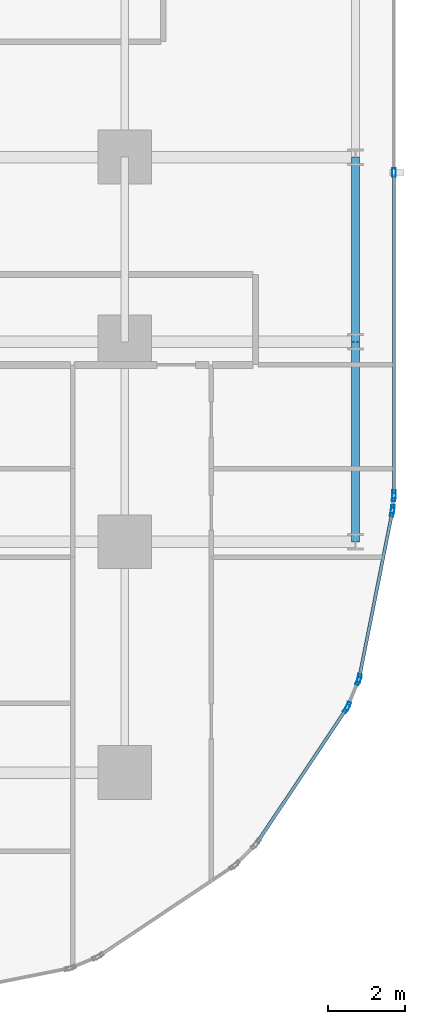
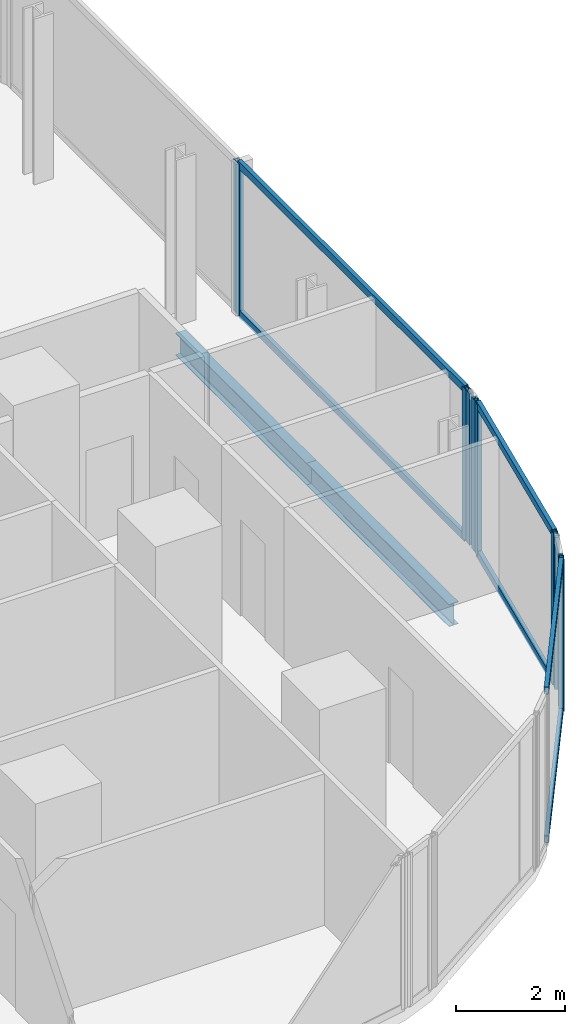
# One storey, part 18 of 34: 15 members, 2 beams, 5 elements without a shape of their own.
"""IFC4 building model written with IfcOpenShell, lengths in metres."""

from ifc_helpers import new_model, si_unit, direction, frame, origin, origin_2d, place, context, subcontext, project, spatial, hollow_rectangle, i_section, extrude, material, layer, layer_set, material_profile, profile_set, type_object, element, aggregate, save


model = new_model("IFC4")

# Units and contexts
model_context = context("Model", 3, precision=1e-05, world=origin(), true_north=direction((0.0, 1.0)))
body_context = subcontext(model_context, "Body", "Model", "MODEL_VIEW")
ifc_project = project(units=[si_unit("LENGTHUNIT", "METRE"), si_unit("AREAUNIT", "SQUARE_METRE"), si_unit("VOLUMEUNIT", "CUBIC_METRE"), si_unit("PLANEANGLEUNIT", "RADIAN"), si_unit("MASSUNIT", "GRAM", prefix="KILO")], contexts=[model_context])

# Site, building, storey
site_placement = place(None, origin())
site = spatial("IfcSite", under=ifc_project, at=site_placement, CompositionType="ELEMENT")
building_placement = place(site_placement, origin())
building = spatial("IfcBuilding", under=site, at=building_placement, Name="Keshet Zoharim Tower", CompositionType="ELEMENT")
storey_placement = place(building_placement, frame((0.0, 0.0, 46.199951171875)))
storey = spatial("IfcBuildingStorey", under=building, at=storey_placement, Name="L10", CompositionType="ELEMENT", Elevation=46.199951171875)

# Beams
ifc_material_1 = material(Name="Steel S355", Category="steel")
ifc_material_profile_1 = material_profile(ifc_material_1, i_section(OverallWidth=0.199951171875, OverallDepth=0.5, WebThickness=0.01025390625, FlangeThickness=0.01611328125, FilletRadius=0.02099609375, at=origin_2d()), Name="IPE500")
ifc_profile_set_1 = profile_set([ifc_material_profile_1], Name="Steel S355")
beam_type = type_object("IfcBeamType", Name="BM-PRI-IP500", PredefinedType="BEAM", material=ifc_profile_set_1)
beam_1_placement = place(storey_placement, frame((69.0, 12.699951171875, -0.56494140625), z_axis=(0.0, 1.0, 0.0), x_axis=(-1.0, 0.0, 0.0)))
element("IfcBeam", 1, at=beam_1_placement, inside=storey, type_object=beam_type, Name="L10 Primary Girder Y-023", PredefinedType="BEAM", context=body_context, shape_type="SweptSolid", body=[
    extrude(i_section(OverallWidth=0.199951171875, OverallDepth=0.5, WebThickness=0.01025390625, FlangeThickness=0.01611328125, FilletRadius=0.02099609375, at=origin_2d()), origin(), (0.0, 0.0, 1.0), 5.199951171875),
])
beam_2_placement = place(storey_placement, frame((69.0, 17.89990234375, -0.56494140625), z_axis=(0.0, 1.0, 0.0), x_axis=(-1.0, 0.0, 0.0)))
element("IfcBeam", 2, at=beam_2_placement, inside=storey, type_object=beam_type, Name="L10 Primary Girder Y-024", PredefinedType="BEAM", context=body_context, shape_type="SweptSolid", body=[
    extrude(i_section(OverallWidth=0.199951171875, OverallDepth=0.5, WebThickness=0.01025390625, FlangeThickness=0.01611328125, FilletRadius=0.02099609375, at=origin_2d()), origin(), (0.0, 0.0, 1.0), 4.800048828125),
])

# Curtain wall, members
ifc_material_2 = material(Name="Aluminium 6063-T6", Category="aluminium")
ifc_layer_1 = layer(ifc_material_2, 0.169921875)
ifc_layer_set_1 = layer_set([ifc_layer_1], Name="Aluminium 6063-T6")
curtain_wall_type_1 = type_object("IfcCurtainWallType", Name="CW-SYS-02", PredefinedType="NOTDEFINED", material=ifc_layer_set_1)
curtain_wall_1_placement = place(storey_placement, origin())
curtain_wall_1 = element("IfcCurtainWall", 3, at=curtain_wall_1_placement, inside=storey, type_object=curtain_wall_type_1, Name="L10 Unitised Curtain Wall 16", PredefinedType="NOTDEFINED")
ifc_material_profile_2 = material_profile(ifc_material_2, hollow_rectangle(XDim=0.090087890625, YDim=0.219970703125, WallThickness=0.0048828125, at=origin_2d()), Name="MUL-90x220")
ifc_profile_set_2 = profile_set([ifc_material_profile_2], Name="Aluminium 6063-T6")
member_type_1 = type_object("IfcMemberType", Name="CWM-M22", PredefinedType="MULLION", material=ifc_profile_set_2)
member_1_placement = place(storey_placement, frame((70.0, 22.298583984375, 0.0), z_axis=(0.0, 0.0, 1.0), x_axis=(1.0, 0.0, 0.0)))
member_1 = element("IfcMember", 4, at=member_1_placement, type_object=member_type_1, Name="CW-02 mullion 2", PredefinedType="MULLION", context=body_context, shape_type="SweptSolid", body=[
    extrude(hollow_rectangle(XDim=0.090087890625, YDim=0.219970703125, WallThickness=0.0048828125, at=origin_2d()), origin(), (0.0, 0.0, 1.0), 3.385009765625),
])
member_2_placement = place(storey_placement, frame((70.0, 13.931884765625, 0.0), z_axis=(0.0, 0.0, 1.0), x_axis=(1.0, 0.0, 0.0)))
member_2 = element("IfcMember", 5, at=member_2_placement, type_object=member_type_1, Name="CW-02 mullion 3", PredefinedType="MULLION", context=body_context, shape_type="SweptSolid", body=[
    extrude(hollow_rectangle(XDim=0.090087890625, YDim=0.219970703125, WallThickness=0.0048828125, at=origin_2d()), origin(), (0.0, 0.0, 1.0), 3.385009765625),
])

curtain_wall_2_placement = place(storey_placement, origin())
curtain_wall_2 = element("IfcCurtainWall", 6, at=curtain_wall_2_placement, inside=storey, type_object=curtain_wall_type_1, Name="L10 Unitised Curtain Wall 17", PredefinedType="NOTDEFINED")
member_3_placement = place(storey_placement, frame((69.99658203125, 13.862060546875, 0.0), z_axis=(0.0, 0.0, 1.0), x_axis=(0.995286657009, -0.096976648633, 0.0)))
member_3 = element("IfcMember", 7, at=member_3_placement, type_object=member_type_1, Name="CW-02 mullion 1", PredefinedType="MULLION", context=body_context, shape_type="SweptSolid", body=[
    extrude(hollow_rectangle(XDim=0.090087890625, YDim=0.219970703125, WallThickness=0.0048828125, at=origin_2d()), origin(), (0.0, 0.0, 1.0), 3.385009765625),
])
member_4_placement = place(storey_placement, frame((69.96533203125, 13.541748046875, 0.0), z_axis=(0.0, 0.0, 1.0), x_axis=(0.995286657009, -0.096976648633, 0.0)))
member_4 = element("IfcMember", 8, at=member_4_placement, type_object=member_type_1, Name="CW-02 mullion 2", PredefinedType="MULLION", context=body_context, shape_type="SweptSolid", body=[
    extrude(hollow_rectangle(XDim=0.090087890625, YDim=0.219970703125, WallThickness=0.0048828125, at=origin_2d()), origin(), (0.0, 0.0, 1.0), 3.385009765625),
])
aggregate(curtain_wall_2, [member_3, member_4])

curtain_wall_3_placement = place(storey_placement, origin())
curtain_wall_3 = element("IfcCurtainWall", 9, at=curtain_wall_3_placement, inside=storey, type_object=curtain_wall_type_1, Name="L10 Unitised Curtain Wall 18", PredefinedType="NOTDEFINED")
member_5_placement = place(storey_placement, frame((69.955078125, 13.47265625, 0.0), z_axis=(0.0, 0.0, 1.0), x_axis=(0.98076917357, -0.195171279072, 0.0)))
member_5 = element("IfcMember", 10, at=member_5_placement, type_object=member_type_1, Name="CW-02 mullion 1", PredefinedType="MULLION", context=body_context, shape_type="SweptSolid", body=[
    extrude(hollow_rectangle(XDim=0.090087890625, YDim=0.219970703125, WallThickness=0.0048828125, at=origin_2d()), origin(), (0.0, 0.0, 1.0), 3.385009765625),
])
member_6_placement = place(storey_placement, frame((69.0947265625, 9.1494140625, 0.0), z_axis=(0.0, 0.0, 1.0), x_axis=(0.98076917357, -0.195171279072, 0.0)))
member_6 = element("IfcMember", 11, at=member_6_placement, type_object=member_type_1, Name="CW-02 mullion 2", PredefinedType="MULLION", context=body_context, shape_type="SweptSolid", body=[
    extrude(hollow_rectangle(XDim=0.090087890625, YDim=0.219970703125, WallThickness=0.0048828125, at=origin_2d()), origin(), (0.0, 0.0, 1.0), 3.385009765625),
])

ifc_layer_2 = layer(ifc_material_2, 0.179931640625)
ifc_layer_set_2 = layer_set([ifc_layer_2], Name="Aluminium 6063-T6")
curtain_wall_type_2 = type_object("IfcCurtainWallType", Name="CW-SYS-01", PredefinedType="NOTDEFINED", material=ifc_layer_set_2)
curtain_wall_4_placement = place(storey_placement, origin())
curtain_wall_4 = element("IfcCurtainWall", 12, at=curtain_wall_4_placement, inside=storey, type_object=curtain_wall_type_2, Name="L10 Unitised Curtain Wall 19", PredefinedType="NOTDEFINED")
member_7_placement = place(storey_placement, frame((69.07470703125, 9.082763671875, 0.0), z_axis=(0.0, 0.0, 1.0), x_axis=(0.923720000557, -0.383068349739, 0.0)))
member_7 = element("IfcMember", 13, at=member_7_placement, type_object=member_type_1, Name="CW-01 mullion 1", PredefinedType="MULLION", context=body_context, shape_type="SweptSolid", body=[
    extrude(hollow_rectangle(XDim=0.090087890625, YDim=0.219970703125, WallThickness=0.0048828125, at=origin_2d()), origin(), (0.0, 0.0, 1.0), 3.385009765625),
])
member_8_placement = place(storey_placement, frame((68.802490234375, 8.42626953125, 0.0), z_axis=(0.0, 0.0, 1.0), x_axis=(0.923720000557, -0.383068349739, 0.0)))
member_8 = element("IfcMember", 14, at=member_8_placement, type_object=member_type_1, Name="CW-01 mullion 2", PredefinedType="MULLION", context=body_context, shape_type="SweptSolid", body=[
    extrude(hollow_rectangle(XDim=0.090087890625, YDim=0.219970703125, WallThickness=0.0048828125, at=origin_2d()), origin(), (0.0, 0.0, 1.0), 3.385009765625),
])
aggregate(curtain_wall_4, [member_7, member_8])

# Curtain wall, member
curtain_wall_5_placement = place(storey_placement, origin())
curtain_wall_5 = element("IfcCurtainWall", 15, at=curtain_wall_5_placement, inside=storey, type_object=curtain_wall_type_2, Name="L10 Unitised Curtain Wall 20", PredefinedType="NOTDEFINED")
member_9_placement = place(storey_placement, frame((68.76953125, 8.364990234375, 0.0), z_axis=(0.0, 0.0, 1.0), x_axis=(0.831474282335, -0.555563243758, 0.0)))
member_9 = element("IfcMember", 16, at=member_9_placement, type_object=member_type_1, Name="CW-01 mullion 1", PredefinedType="MULLION", context=body_context, shape_type="SweptSolid", body=[
    extrude(hollow_rectangle(XDim=0.090087890625, YDim=0.219970703125, WallThickness=0.0048828125, at=origin_2d()), origin(), (0.0, 0.0, 1.0), 3.385009765625),
])

# Member
ifc_material_profile_3 = material_profile(ifc_material_2, hollow_rectangle(XDim=0.0849609375, YDim=0.159912109375, WallThickness=0.00439453125, at=origin_2d()), Name="TRN-85x160")
ifc_profile_set_3 = profile_set([ifc_material_profile_3], Name="Aluminium 6063-T6")
member_type_2 = type_object("IfcMemberType", Name="CWT-T16", PredefinedType="USERDEFINED", material=ifc_profile_set_3)
member_10_placement = place(storey_placement, frame((70.0, 22.263427734375, 0.03515625), z_axis=(0.0, -1.0, 0.0), x_axis=(1.0, 0.0, 0.0)))
member_10 = element("IfcMember", 17, at=member_10_placement, type_object=member_type_2, Name="CW-02 transom 2.1", ObjectType="TRANSOM", PredefinedType="USERDEFINED", context=body_context, shape_type="SweptSolid", body=[
    extrude(hollow_rectangle(XDim=0.0849609375, YDim=0.159912109375, WallThickness=0.00439453125, at=origin_2d()), origin(), (0.0, 0.0, 1.0), 8.29638671875),
])

member_11_placement = place(storey_placement, frame((70.0, 22.263427734375, 3.35009765625), z_axis=(0.0, -1.0, 0.0), x_axis=(1.0, 0.0, 0.0)))
member_11 = element("IfcMember", 18, at=member_11_placement, type_object=member_type_2, Name="CW-02 transom 2.2", ObjectType="TRANSOM", PredefinedType="USERDEFINED", context=body_context, shape_type="SweptSolid", body=[
    extrude(hollow_rectangle(XDim=0.0849609375, YDim=0.159912109375, WallThickness=0.00439453125, at=origin_2d()), origin(), (0.0, 0.0, 1.0), 8.29638671875),
])

aggregate(curtain_wall_1, [member_1, member_2, member_10, member_11])

member_12_placement = place(storey_placement, frame((69.9482421875, 13.438232421875, 0.03515625), z_axis=(-0.195174459131, -0.980768540739, 0.0), x_axis=(0.980768540739, -0.195174459131, 0.0)))
member_12 = element("IfcMember", 19, at=member_12_placement, type_object=member_type_2, Name="CW-02 transom 1.1", ObjectType="TRANSOM", PredefinedType="USERDEFINED", context=body_context, shape_type="SweptSolid", body=[
    extrude(hollow_rectangle(XDim=0.0849609375, YDim=0.159912109375, WallThickness=0.00439453125, at=origin_2d()), origin(), (0.0, 0.0, 1.0), 4.338134765625),
])

member_13_placement = place(storey_placement, frame((69.9482421875, 13.438232421875, 3.35009765625), z_axis=(-0.195174459131, -0.980768540739, 0.0), x_axis=(0.980768540739, -0.195174459131, 0.0)))
member_13 = element("IfcMember", 20, at=member_13_placement, type_object=member_type_2, Name="CW-02 transom 1.2", ObjectType="TRANSOM", PredefinedType="USERDEFINED", context=body_context, shape_type="SweptSolid", body=[
    extrude(hollow_rectangle(XDim=0.0849609375, YDim=0.159912109375, WallThickness=0.00439453125, at=origin_2d()), origin(), (0.0, 0.0, 1.0), 4.338134765625),
])

aggregate(curtain_wall_3, [member_5, member_6, member_12, member_13])

member_14_placement = place(storey_placement, frame((68.75, 8.335693359375, 0.03515625), z_axis=(-0.55555796544, -0.831477809106, 0.0), x_axis=(0.831477809106, -0.55555796544, 0.0)))
member_14 = element("IfcMember", 21, at=member_14_placement, type_object=member_type_2, Name="CW-01 transom 1.1", ObjectType="TRANSOM", PredefinedType="USERDEFINED", context=body_context, shape_type="SweptSolid", body=[
    extrude(hollow_rectangle(XDim=0.0849609375, YDim=0.159912109375, WallThickness=0.00439453125, at=origin_2d()), origin(), (0.0, 0.0, 1.0), 4.136474609375),
])

member_15_placement = place(storey_placement, frame((68.75, 8.335693359375, 3.35009765625), z_axis=(-0.55555796544, -0.831477809106, 0.0), x_axis=(0.831477809106, -0.55555796544, 0.0)))
member_15 = element("IfcMember", 22, at=member_15_placement, type_object=member_type_2, Name="CW-01 transom 1.2", ObjectType="TRANSOM", PredefinedType="USERDEFINED", context=body_context, shape_type="SweptSolid", body=[
    extrude(hollow_rectangle(XDim=0.0849609375, YDim=0.159912109375, WallThickness=0.00439453125, at=origin_2d()), origin(), (0.0, 0.0, 1.0), 4.136474609375),
])

aggregate(curtain_wall_5, [member_9, member_14, member_15])

save(model, "model.ifc")
